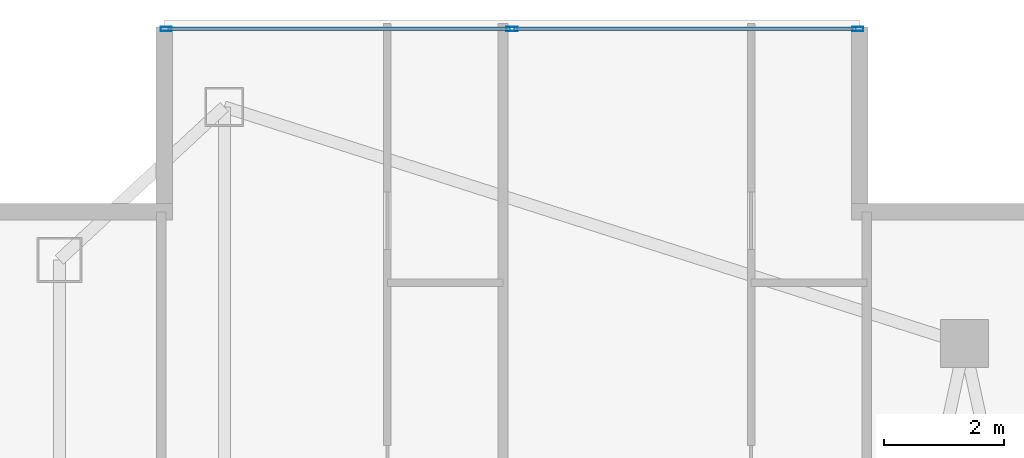
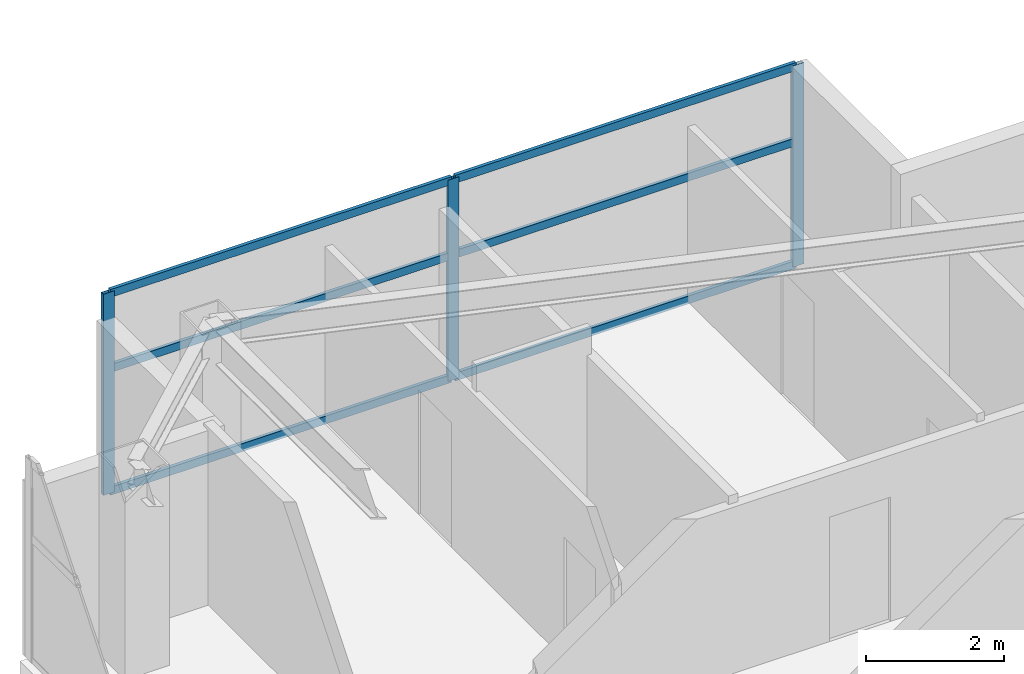
# One storey, part 21 of 30: 9 members, 1 element without a shape of its own.
"""IFC4 building model written with IfcOpenShell, lengths in metres."""

import ifcopenshell
import ifcopenshell.guid

model = None  # the IFC model being written
_history = None  # IfcOwnerHistory: only IFC2X3 demands one
_inside = {}  # id of a spatial element -> (the spatial element, [elements in it])
_under = {}  # id of a project, library or spatial element -> (it, [spatial elements below it])
_declared = {}  # id of a project -> (the project, [libraries it declares])
_typed = {}  # id of a type object -> (the type object, [elements of that type])
_made_of = {}  # id of a material, layer set ... -> (it, [elements and type objects made of it])


def new_model(schema):
    """Start an empty IFC model of exactly this schema.

    Asked for "IFC4X3", IfcOpenShell would pick the latest addendum, in which some entities
    have other attributes; the version numbers below select the first issue.
    IFC2X3 requires an IfcOwnerHistory on every rooted entity: one is made here for all.
    """
    global model, _history
    if schema == "IFC4X3":
        model = ifcopenshell.file(schema_version=(4, 3, 0, 0))
    else:
        model = ifcopenshell.file(schema=schema)
    _inside.clear()
    _under.clear()
    _declared.clear()
    _typed.clear()
    _made_of.clear()
    _history = None
    if model.schema == "IFC2X3":
        org = make("IfcOrganization", Name="unknown")
        user = make(
            "IfcPersonAndOrganization",
            ThePerson=make("IfcPerson", FamilyName="unknown"),
            TheOrganization=org,
        )
        app = make(
            "IfcApplication",
            ApplicationDeveloper=org,
            Version="unknown",
            ApplicationFullName="unknown",
            ApplicationIdentifier="unknown",
        )
        _history = make(
            "IfcOwnerHistory",
            OwningUser=user,
            OwningApplication=app,
            ChangeAction="ADDED",
            CreationDate=0,
        )
    return model


def make(cls, **values):
    """One entity of the class cls with the attributes given. An attribute that is None is left unset."""
    return model.create_entity(
        cls, **{name: value for name, value in values.items() if value is not None}
    )


def rooted(cls, **values):
    """An entity with a GlobalId (a new one), such as an element, a storey or a relation."""
    return make(cls, GlobalId=ifcopenshell.guid.new(), OwnerHistory=_history, **values)


def si_unit(unit_type, name, prefix=None):
    """IfcSIUnit, for example si_unit("LENGTHUNIT", "METRE", prefix="MILLI")."""
    return make("IfcSIUnit", UnitType=unit_type, Prefix=prefix, Name=name)


def assignment(units):
    """IfcUnitAssignment: the units of a project."""
    return None if units is None else make("IfcUnitAssignment", Units=units)


def point(xyz):
    """IfcCartesianPoint."""
    return None if xyz is None else make("IfcCartesianPoint", Coordinates=xyz)


def direction(xyz):
    """IfcDirection."""
    return None if xyz is None else make("IfcDirection", DirectionRatios=xyz)


def frame(location, z_axis=None, x_axis=None):
    """IfcAxis2Placement3D, a coordinate frame: its origin and axes. An axis left out is left unset."""
    return make(
        "IfcAxis2Placement3D",
        Location=point(location),
        Axis=direction(z_axis),
        RefDirection=direction(x_axis),
    )


def frame_2d(location, x_axis=None):
    """IfcAxis2Placement2D, a coordinate frame in the plane: its origin and x axis."""
    return make(
        "IfcAxis2Placement2D", Location=point(location), RefDirection=direction(x_axis)
    )


def origin():
    """The frame at (0, 0, 0) with its axes left unset."""
    return frame((0.0, 0.0, 0.0))


def origin_2d():
    """The frame at (0, 0) in the plane with its x axis left unset."""
    return frame_2d((0.0, 0.0))


def place(relative_to, where):
    """IfcLocalPlacement: puts the frame where relative to a parent placement (None: the world)."""
    return make(
        "IfcLocalPlacement", PlacementRelTo=relative_to, RelativePlacement=where
    )


def context(
    kind, dimensions, precision=None, world=None, true_north=None, identifier=None
):
    """IfcGeometricRepresentationContext, for example the 3D "Model" context."""
    return make(
        "IfcGeometricRepresentationContext",
        ContextIdentifier=identifier,
        ContextType=kind,
        CoordinateSpaceDimension=dimensions,
        Precision=precision,
        WorldCoordinateSystem=world,
        TrueNorth=true_north,
    )


def subcontext(parent, identifier, kind, view, scale=None):
    """IfcGeometricRepresentationSubContext, for example "Body" below "Model"."""
    return make(
        "IfcGeometricRepresentationSubContext",
        ContextIdentifier=identifier,
        ContextType=kind,
        ParentContext=parent,
        TargetScale=scale,
        TargetView=view,
    )


def project(units=None, contexts=None):
    """IfcProject with its units and contexts."""
    return rooted(
        "IfcProject",
        Name="project",
        RepresentationContexts=contexts,
        UnitsInContext=assignment(units),
    )


def spatial(cls, under=None, at=None, **own):
    """A site, building, storey or space (cls), placed at a placement, below another one or the project."""
    s = rooted(cls, ObjectPlacement=at, **own)
    if under is not None:
        _under.setdefault(under.id(), (under, []))[1].append(s)
    return s


def profile(cls, at=None, kind="AREA", **sizes):
    """A parametric profile (cls). Its sizes go by their IFC names, for example OverallWidth=200.0."""
    return make(cls, ProfileType=kind, Position=at, **sizes)


def hollow_rectangle(**sizes):
    """IfcRectangleHollowProfileDef."""
    return profile("IfcRectangleHollowProfileDef", **sizes)


def extrude(swept, where, along, depth):
    """IfcExtrudedAreaSolid: the profile swept, set in the frame where, extruded along a direction by depth."""
    return make(
        "IfcExtrudedAreaSolid",
        SweptArea=swept,
        Position=where,
        ExtrudedDirection=direction(along),
        Depth=depth,
    )


def shape(context_of_items, identifier, shape_type, items):
    """IfcShapeRepresentation: the items that make up one representation, for example the "Body"."""
    return make(
        "IfcShapeRepresentation",
        ContextOfItems=context_of_items,
        RepresentationIdentifier=identifier,
        RepresentationType=shape_type,
        Items=items,
    )


def material(Name=None, Category=None):
    """IfcMaterial."""
    return make("IfcMaterial", Name=Name, Category=Category)


def layer(
    of_material, thickness, ventilated=None, Name=None, Category=None, Priority=None
):
    """IfcMaterialLayer: one layer of a wall or slab, of a material (None: an air gap)."""
    return make(
        "IfcMaterialLayer",
        Material=of_material,
        LayerThickness=thickness,
        IsVentilated=ventilated,
        Name=Name,
        Category=Category,
        Priority=Priority,
    )


def layer_set(layers, Name=None):
    """IfcMaterialLayerSet."""
    return make("IfcMaterialLayerSet", MaterialLayers=layers, LayerSetName=Name)


def material_profile(
    of_material, cross_section, Name=None, Category=None, Priority=None
):
    """IfcMaterialProfile: a cross section and its material."""
    return make(
        "IfcMaterialProfile",
        Name=Name,
        Material=of_material,
        Profile=cross_section,
        Priority=Priority,
        Category=Category,
    )


def profile_set(profiles, Name=None, composite=None):
    """IfcMaterialProfileSet."""
    return make(
        "IfcMaterialProfileSet",
        Name=Name,
        MaterialProfiles=profiles,
        CompositeProfile=composite,
    )


def made_of(thing, what):
    """Note that an element or type object is made of a material, layer set ...; save() writes the relation."""
    if what is not None:
        _made_of.setdefault(what.id(), (what, []))[1].append(thing)
    return thing


def type_object(cls, material=None, **own):
    """A type object (cls), such as IfcWallType, which elements share."""
    return made_of(rooted(cls, **own), material)


def element(
    cls,
    number,
    at=None,
    inside=None,
    cuts=None,
    type_object=None,
    material=None,
    context=None,
    identifier="Body",
    shape_type=None,
    held_by="IfcProductDefinitionShape",
    body=None,
    shapes=None,
    **own,
):
    """One element of the class cls, such as IfcWall. Its Tag is "e" and its number.

    at: its placement. inside: the storey or other place that contains it. cuts: it is an
    opening in that element (IfcRelVoidsElement). A single representation is given by context,
    identifier, shape_type and body (its items); several are given by shapes. held_by: the class
    of the entity that holds the representations. save() writes the other relations.
    """
    e = rooted(cls, Tag="e%d" % number, ObjectPlacement=at, **own)
    if body is not None:
        shapes = [shape(context, identifier, shape_type, body)]
    if shapes is not None:
        e.Representation = make(held_by, Representations=shapes)
    if inside is not None:
        _inside.setdefault(inside.id(), (inside, []))[1].append(e)
    if cuts is not None:
        rooted(
            "IfcRelVoidsElement", RelatingBuildingElement=cuts, RelatedOpeningElement=e
        )
    if type_object is not None:
        _typed.setdefault(type_object.id(), (type_object, []))[1].append(e)
    return made_of(e, material)


def aggregate(whole, parts):
    """IfcRelAggregates: a whole, such as a stair, and the parts it consists of."""
    return rooted("IfcRelAggregates", RelatingObject=whole, RelatedObjects=parts)


def save(model, path):
    """Write the relations noted so far, then the file.

    IfcRelAggregates (storeys below a building ...), IfcRelContainedInSpatialStructure (elements
    in a storey), IfcRelDefinesByType, IfcRelAssociatesMaterial and IfcRelDeclares: one each for
    every whole, place, type object, material and project.
    """
    for whole, parts in _under.values():
        aggregate(whole, parts)
    for where, things in _inside.values():
        rooted(
            "IfcRelContainedInSpatialStructure",
            RelatedElements=things,
            RelatingStructure=where,
        )
    for kind, things in _typed.values():
        rooted("IfcRelDefinesByType", RelatedObjects=things, RelatingType=kind)
    for what, things in _made_of.values():
        rooted("IfcRelAssociatesMaterial", RelatedObjects=things, RelatingMaterial=what)
    for by, libraries in _declared.values():
        rooted("IfcRelDeclares", RelatingContext=by, RelatedDefinitions=libraries)
    model.write(path)


model = new_model("IFC4")

# Units and contexts
model_context = context("Model", 3, precision=1e-05, world=origin(), true_north=direction((0.0, 1.0)))
body_context = subcontext(model_context, "Body", "Model", "MODEL_VIEW")
ifc_project = project(units=[si_unit("LENGTHUNIT", "METRE"), si_unit("AREAUNIT", "SQUARE_METRE"), si_unit("VOLUMEUNIT", "CUBIC_METRE"), si_unit("PLANEANGLEUNIT", "RADIAN"), si_unit("MASSUNIT", "GRAM", prefix="KILO")], contexts=[model_context])

# Site, building, storey
site_placement = place(None, origin())
site = spatial("IfcSite", under=ifc_project, at=site_placement, CompositionType="ELEMENT")
building_placement = place(site_placement, origin())
building = spatial("IfcBuilding", under=site, at=building_placement, Name="Calvorn Quay Hotel", CompositionType="ELEMENT")
storey_placement = place(building_placement, frame((0.0, 0.0, 207.199951171875)))
storey = spatial("IfcBuildingStorey", under=building, at=storey_placement, Name="L51", CompositionType="ELEMENT", Elevation=207.199951171875)

# Curtain wall, members
ifc_material_1 = material(Name="Champagne Bronze Anodised Aluminium and Low-E Glass", Category="aluminium")
ifc_layer = layer(ifc_material_1, 0.219970703125)
ifc_layer_set = layer_set([ifc_layer], Name="CW-SYS-Z3")
curtain_wall_type = type_object("IfcCurtainWallType", Name="CW-SYS-Z3", PredefinedType="NOTDEFINED", material=ifc_layer_set)
curtain_wall_placement = place(storey_placement, origin())
curtain_wall = element("IfcCurtainWall", 1, at=curtain_wall_placement, inside=storey, type_object=curtain_wall_type, Name="Inner Court Curtain Wall L51-N1", PredefinedType="NOTDEFINED")
ifc_material_2 = material(Name="Champagne Bronze Anodised Aluminium 6063-T6", Category="aluminium")
ifc_material_profile_1 = material_profile(ifc_material_2, hollow_rectangle(XDim=0.068115234375, YDim=0.18505859375, WallThickness=0.00390625, at=origin_2d()), Name="ALU-M185x68x4")
ifc_profile_set_1 = profile_set([ifc_material_profile_1], Name="Champagne Bronze Anodised Aluminium 6063-T6")
member_type_1 = type_object("IfcMemberType", Name="CW-SYS-Z3-MUL", PredefinedType="MULLION", material=ifc_profile_set_1)
member_1_placement = place(storey_placement, frame((14.77001953125, 50.85009765625, 0.0), z_axis=(0.0, 0.0, 1.0), x_axis=(0.0, -1.0, 0.0)))
member_1 = element("IfcMember", 2, at=member_1_placement, type_object=member_type_1, Name="CW-L51-N1 mullion 1", PredefinedType="MULLION", context=body_context, shape_type="SweptSolid", body=[
    extrude(hollow_rectangle(XDim=0.068115234375, YDim=0.18505859375, WallThickness=0.00390625, at=origin_2d()), origin(), (0.0, 0.0, 1.0), 3.56005859375),
])
member_2_placement = place(storey_placement, frame((9.0, 50.85009765625, 0.0), z_axis=(0.0, 0.0, 1.0), x_axis=(0.0, -1.0, 0.0)))
member_2 = element("IfcMember", 3, at=member_2_placement, type_object=member_type_1, Name="CW-L51-N1 mullion 2", PredefinedType="MULLION", context=body_context, shape_type="SweptSolid", body=[
    extrude(hollow_rectangle(XDim=0.068115234375, YDim=0.18505859375, WallThickness=0.00390625, at=origin_2d()), origin(), (0.0, 0.0, 1.0), 3.56005859375),
])
member_3_placement = place(storey_placement, frame((3.22998046875, 50.85009765625, 0.0), z_axis=(0.0, 0.0, 1.0), x_axis=(0.0, -1.0, 0.0)))
member_3 = element("IfcMember", 4, at=member_3_placement, type_object=member_type_1, Name="CW-L51-N1 mullion 3", PredefinedType="MULLION", context=body_context, shape_type="SweptSolid", body=[
    extrude(hollow_rectangle(XDim=0.068115234375, YDim=0.18505859375, WallThickness=0.00390625, at=origin_2d()), origin(), (0.0, 0.0, 1.0), 3.56005859375),
])
ifc_material_3 = material(Name="Champagne Bronze Anodised Aluminium 6063-T6", Category="aluminium")
ifc_material_profile_2 = material_profile(ifc_material_3, hollow_rectangle(XDim=0.05810546875, YDim=0.139892578125, WallThickness=0.003173828125, at=origin_2d()), Name="ALU-T140x58x3.2")
ifc_profile_set_2 = profile_set([ifc_material_profile_2], Name="Champagne Bronze Anodised Aluminium 6063-T6")
member_type_2 = type_object("IfcMemberType", Name="CW-SYS-Z3-TRN", PredefinedType="USERDEFINED", material=ifc_profile_set_2)
member_4_placement = place(storey_placement, frame((14.739990234375, 50.85009765625, 0.030029296875), z_axis=(-1.0, 0.0, 0.0), x_axis=(0.0, -1.0, 0.0)))
member_4 = element("IfcMember", 5, at=member_4_placement, type_object=member_type_2, Name="CW-L51-N1 transom 1.1", ObjectType="TRANSOM", PredefinedType="USERDEFINED", context=body_context, shape_type="SweptSolid", body=[
    extrude(hollow_rectangle(XDim=0.05810546875, YDim=0.139892578125, WallThickness=0.003173828125, at=origin_2d()), origin(), (0.0, 0.0, 1.0), 5.7099609375),
])
member_5_placement = place(storey_placement, frame((14.739990234375, 50.85009765625, 2.199951171875), z_axis=(-1.0, 0.0, 0.0), x_axis=(0.0, -1.0, 0.0)))
member_5 = element("IfcMember", 6, at=member_5_placement, type_object=member_type_2, Name="CW-L51-N1 transom 1.2", ObjectType="TRANSOM", PredefinedType="USERDEFINED", context=body_context, shape_type="SweptSolid", body=[
    extrude(hollow_rectangle(XDim=0.05810546875, YDim=0.139892578125, WallThickness=0.003173828125, at=origin_2d()), origin(), (0.0, 0.0, 1.0), 5.7099609375),
])
member_6_placement = place(storey_placement, frame((14.739990234375, 50.85009765625, 3.530029296875), z_axis=(-1.0, 0.0, 0.0), x_axis=(0.0, -1.0, 0.0)))
member_6 = element("IfcMember", 7, at=member_6_placement, type_object=member_type_2, Name="CW-L51-N1 transom 1.3", ObjectType="TRANSOM", PredefinedType="USERDEFINED", context=body_context, shape_type="SweptSolid", body=[
    extrude(hollow_rectangle(XDim=0.05810546875, YDim=0.139892578125, WallThickness=0.003173828125, at=origin_2d()), origin(), (0.0, 0.0, 1.0), 5.7099609375),
])
member_7_placement = place(storey_placement, frame((8.969970703125, 50.85009765625, 0.030029296875), z_axis=(-1.0, 0.0, 0.0), x_axis=(0.0, -1.0, 0.0)))
member_7 = element("IfcMember", 8, at=member_7_placement, type_object=member_type_2, Name="CW-L51-N1 transom 2.1", ObjectType="TRANSOM", PredefinedType="USERDEFINED", context=body_context, shape_type="SweptSolid", body=[
    extrude(hollow_rectangle(XDim=0.05810546875, YDim=0.139892578125, WallThickness=0.003173828125, at=origin_2d()), origin(), (0.0, 0.0, 1.0), 5.7099609375),
])
member_8_placement = place(storey_placement, frame((8.969970703125, 50.85009765625, 2.199951171875), z_axis=(-1.0, 0.0, 0.0), x_axis=(0.0, -1.0, 0.0)))
member_8 = element("IfcMember", 9, at=member_8_placement, type_object=member_type_2, Name="CW-L51-N1 transom 2.2", ObjectType="TRANSOM", PredefinedType="USERDEFINED", context=body_context, shape_type="SweptSolid", body=[
    extrude(hollow_rectangle(XDim=0.05810546875, YDim=0.139892578125, WallThickness=0.003173828125, at=origin_2d()), origin(), (0.0, 0.0, 1.0), 5.7099609375),
])
member_9_placement = place(storey_placement, frame((8.969970703125, 50.85009765625, 3.530029296875), z_axis=(-1.0, 0.0, 0.0), x_axis=(0.0, -1.0, 0.0)))
member_9 = element("IfcMember", 10, at=member_9_placement, type_object=member_type_2, Name="CW-L51-N1 transom 2.3", ObjectType="TRANSOM", PredefinedType="USERDEFINED", context=body_context, shape_type="SweptSolid", body=[
    extrude(hollow_rectangle(XDim=0.05810546875, YDim=0.139892578125, WallThickness=0.003173828125, at=origin_2d()), origin(), (0.0, 0.0, 1.0), 5.7099609375),
])
aggregate(curtain_wall, [member_1, member_2, member_3, member_4, member_5, member_6, member_7, member_8, member_9])

save(model, "model.ifc")
